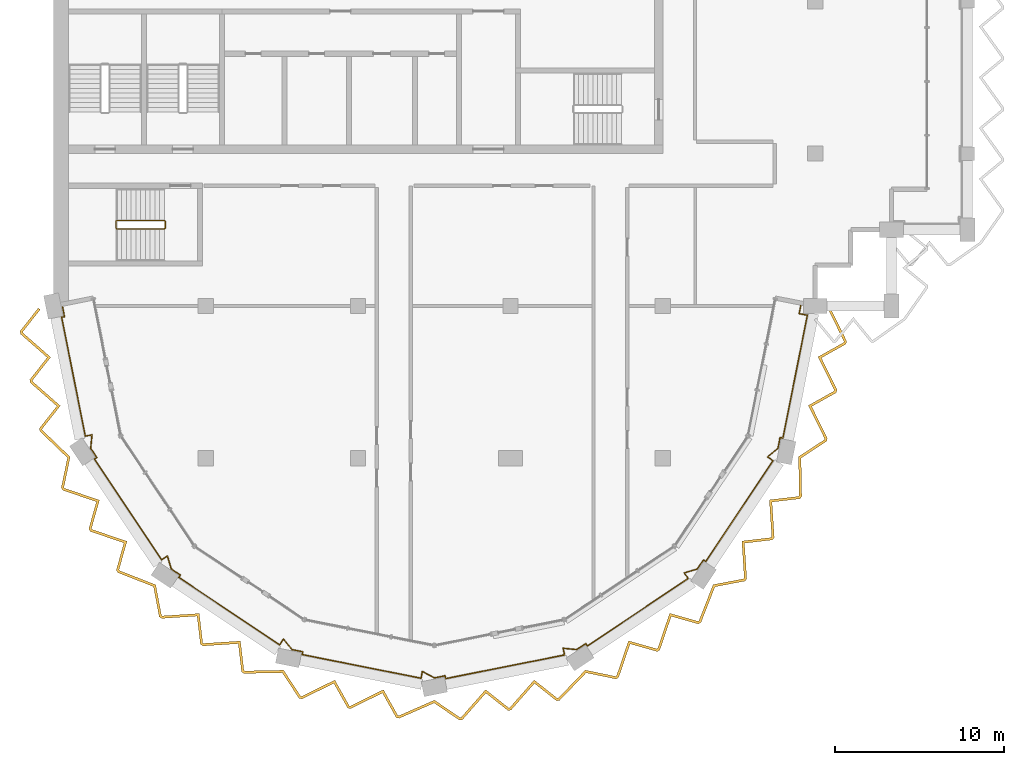
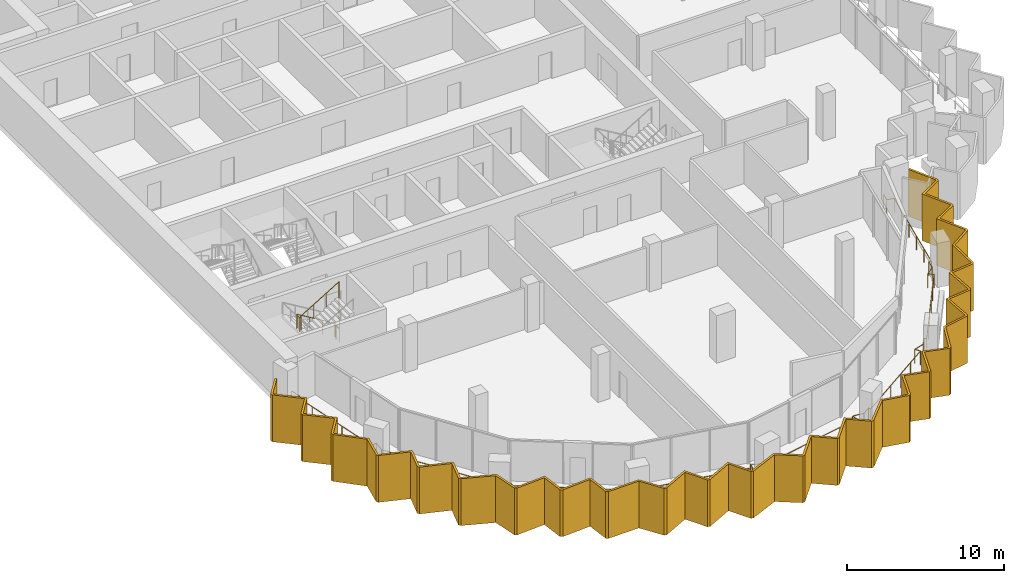
# One storey, part 11 of 13: 2 railings, 1 shading device.
"""IFC4 building model written with IfcOpenShell, lengths in metres."""

from ifc_helpers import new_model, si_unit, direction, frame, origin, origin_2d, place, context, subcontext, project, spatial, polyline, circle, outline, extrude, material, layer, layer_set, type_object, element, save


model = new_model("IFC4")

# Units and contexts
model_context = context("Model", 3, precision=1e-05, world=origin(), true_north=direction((0.0, 1.0)))
body_context = subcontext(model_context, "Body", "Model", "MODEL_VIEW")
ifc_project = project(units=[si_unit("LENGTHUNIT", "METRE"), si_unit("AREAUNIT", "SQUARE_METRE"), si_unit("VOLUMEUNIT", "CUBIC_METRE"), si_unit("PLANEANGLEUNIT", "RADIAN"), si_unit("MASSUNIT", "GRAM", prefix="KILO")], contexts=[model_context])

# Site, building, storey
site_placement = place(None, origin())
site = spatial("IfcSite", under=ifc_project, at=site_placement, CompositionType="ELEMENT")
building_placement = place(site_placement, origin())
building = spatial("IfcBuilding", under=site, at=building_placement, Name="Hunhe Ridgeline Campus", CompositionType="ELEMENT")
storey_placement = place(building_placement, frame((0.0, 0.0, 299.300048828125)))
storey = spatial("IfcBuildingStorey", under=building, at=storey_placement, Name="L77", CompositionType="ELEMENT", Elevation=299.300048828125)

# Railing
ifc_material_1 = material(Name="Steel Q355", Category="steel")
railing_type_1 = type_object("IfcRailingType", Name="Loggia guard 1100 Steel Q355", PredefinedType="GUARDRAIL", material=ifc_material_1)
railing_1_placement = place(storey_placement, frame((0.510009765625, 54.1015625, 0.0)))
element("IfcRailing", 1, at=railing_1_placement, inside=storey, type_object=railing_type_1, Name="Loggia guard 1", PredefinedType="GUARDRAIL", context=body_context, shape_type="SweptSolid", body=[
    extrude(circle(Radius=0.02392578125, at=origin_2d()), frame((0.0, 0.0, 1.076171875), z_axis=(0.194989189992, -0.980805391393, 0.0), x_axis=(0.980805391393, 0.194989189992, 0.0)), (0.0, 0.0, 1.0), 0.75),
    extrude(circle(Radius=0.02392578125, at=origin_2d()), frame((0.146240234375, -0.735595703125, 1.076171875), z_axis=(-0.980746010965, -0.195287639079, 0.0), x_axis=(0.195287639079, -0.980746010965, 0.0)), (0.0, 0.0, 1.0), 0.169921875),
    extrude(circle(Radius=0.02392578125, at=origin_2d()), frame((-0.0205078125, -0.768798828125, 1.076171875), z_axis=(0.195099694312, -0.980783416091, 0.0), x_axis=(0.980783416091, 0.195099694312, 0.0)), (0.0, 0.0, 1.0), 7.160400390625),
    extrude(circle(Radius=0.02392578125, at=origin_2d()), frame((1.37646484375, -7.79150390625, 1.076171875), z_axis=(0.980720044729, 0.195417997808, 0.0), x_axis=(-0.195417997808, 0.980720044729, 0.0)), (0.0, 0.0, 1.0), 0.403564453125),
    extrude(circle(Radius=0.02392578125, at=origin_2d()), frame((1.772216796875, -7.712646484375, 1.076171875), z_axis=(-0.09944331471, -0.995043228789, 0.0), x_axis=(0.995043228789, -0.09944331471, 0.0)), (0.0, 0.0, 1.0), 0.80029296875),
    extrude(circle(Radius=0.02392578125, at=origin_2d()), frame((1.692626953125, -8.509033203125, 1.076171875), z_axis=(0.555484244868, -0.831527061318, 0.0), x_axis=(0.831527061318, 0.555484244868, 0.0)), (0.0, 0.0, 1.0), 0.646484375),
    extrude(circle(Radius=0.02392578125, at=origin_2d()), frame((2.0517578125, -9.046630859375, 1.076171875), z_axis=(-0.831386976724, -0.555693885997, 0.0), x_axis=(0.555693885997, -0.831386976724, 0.0)), (0.0, 0.0, 1.0), 0.169921875),
    extrude(circle(Radius=0.02392578125, at=origin_2d()), frame((1.910400390625, -9.14111328125, 1.076171875), z_axis=(0.555581168767, -0.831462305166, 0.0), x_axis=(0.831462305166, 0.555581168767, 0.0)), (0.0, 0.0, 1.0), 7.16015625),
    extrude(circle(Radius=0.02392578125, at=origin_2d()), frame((5.888427734375, -15.094482421875, 1.076171875), z_axis=(0.831491262241, 0.555537830231, 0.0), x_axis=(-0.555537830231, 0.831491262241, 0.0)), (0.0, 0.0, 1.0), 0.4033203125),
    extrude(circle(Radius=0.02392578125, at=origin_2d()), frame((6.223876953125, -14.870361328125, 1.076171875), z_axis=(0.288914906809, -0.957354780958, 0.0), x_axis=(0.957354780958, 0.288914906809, 0.0)), (0.0, 0.0, 1.0), 0.80029296875),
    extrude(circle(Radius=0.02392578125, at=origin_2d()), frame((6.455078125, -15.636474609375, 1.076171875), z_axis=(0.831352632543, -0.555745265714, 0.0), x_axis=(0.555745265714, 0.831352632543, 0.0)), (0.0, 0.0, 1.0), 0.646728515625),
    extrude(circle(Radius=0.02392578125, at=origin_2d()), frame((6.99267578125, -15.995849609375, 1.076171875), z_axis=(-0.555693885997, -0.831386976724, 0.0), x_axis=(0.831386976724, -0.555693885997, 0.0)), (0.0, 0.0, 1.0), 0.169921875),
    extrude(circle(Radius=0.02392578125, at=origin_2d()), frame((6.898193359375, -16.13720703125, 1.076171875), z_axis=(0.831478056194, -0.555557595635, 0.0), x_axis=(0.555557595635, 0.831478056194, 0.0)), (0.0, 0.0, 1.0), 7.159912109375),
    extrude(circle(Radius=0.02392578125, at=origin_2d()), frame((12.8515625, -20.114990234375, 1.076171875), z_axis=(0.555956014138, 0.831211712107, 0.0), x_axis=(-0.831211712107, 0.555956014138, 0.0)), (0.0, 0.0, 1.0), 0.403564453125),
    extrude(circle(Radius=0.02392578125, at=origin_2d()), frame((13.075927734375, -19.779541015625, 1.076171875), z_axis=(0.633104861372, -0.774066040146, 0.0), x_axis=(0.774066040146, 0.633104861372, 0.0)), (0.0, 0.0, 1.0), 0.800048828125),
    extrude(circle(Radius=0.02392578125, at=origin_2d()), frame((13.58251953125, -20.39892578125, 1.076171875), z_axis=(0.980754587978, -0.195244559871, 0.0), x_axis=(0.195244559871, 0.980754587978, 0.0)), (0.0, 0.0, 1.0), 0.646484375),
    extrude(circle(Radius=0.02392578125, at=origin_2d()), frame((14.216552734375, -20.525146484375, 1.076171875), z_axis=(-0.193905883508, -0.981020136562, 0.0), x_axis=(0.981020136562, -0.193905883508, 0.0)), (0.0, 0.0, 1.0), 0.169921875),
    extrude(circle(Radius=0.02392578125, at=origin_2d()), frame((14.18359375, -20.69189453125, 1.076171875), z_axis=(0.980782118184, -0.195106218893, 0.0), x_axis=(0.195106218893, 0.980782118184, 0.0)), (0.0, 0.0, 1.0), 7.16015625),
    extrude(circle(Radius=0.02392578125, at=origin_2d()), frame((21.2060546875, -22.0888671875, 1.076171875), z_axis=(0.194720424654, 0.980858785057, 0.0), x_axis=(-0.980858785057, 0.194720424654, 0.0)), (0.0, 0.0, 1.0), 0.40380859375),
    extrude(circle(Radius=0.02392578125, at=origin_2d()), frame((21.28466796875, -21.69287109375, 1.076171875), z_axis=(0.881185062436, -0.472771494211, 0.0), x_axis=(0.472771494211, 0.881185062436, 0.0)), (0.0, 0.0, 1.0), 0.800537109375),
    extrude(circle(Radius=0.02392578125, at=origin_2d()), frame((21.989990234375, -22.0712890625, 1.076171875), z_axis=(0.980826840908, 0.194881266811, 0.0), x_axis=(-0.194881266811, 0.980826840908, 0.0)), (0.0, 0.0, 1.0), 0.646484375),
    extrude(circle(Radius=0.02392578125, at=origin_2d()), frame((22.6240234375, -21.9453125, 1.076171875), z_axis=(0.195287639079, -0.980746010965, 0.0), x_axis=(0.980746010965, 0.195287639079, 0.0)), (0.0, 0.0, 1.0), 0.169921875),
    extrude(circle(Radius=0.02392578125, at=origin_2d()), frame((22.6572265625, -22.112060546875, 1.076171875), z_axis=(0.980783416091, 0.195099694312, 0.0), x_axis=(-0.195099694312, 0.980783416091, 0.0)), (0.0, 0.0, 1.0), 7.160400390625),
    extrude(circle(Radius=0.02392578125, at=origin_2d()), frame((29.679931640625, -20.715087890625, 1.076171875), z_axis=(-0.195417997808, 0.980720044729, 0.0), x_axis=(-0.980720044729, -0.195417997808, 0.0)), (0.0, 0.0, 1.0), 0.403564453125),
    extrude(circle(Radius=0.02392578125, at=origin_2d()), frame((29.60107421875, -20.3193359375, 1.076171875), z_axis=(0.995043228789, -0.09944331471, 0.0), x_axis=(0.09944331471, 0.995043228789, 0.0)), (0.0, 0.0, 1.0), 0.80029296875),
    extrude(circle(Radius=0.02392578125, at=origin_2d()), frame((30.3974609375, -20.39892578125, 1.076171875), z_axis=(0.831527061318, 0.555484244868, 0.0), x_axis=(-0.555484244868, 0.831527061318, 0.0)), (0.0, 0.0, 1.0), 0.646484375),
    extrude(circle(Radius=0.02392578125, at=origin_2d()), frame((30.93505859375, -20.039794921875, 1.076171875), z_axis=(0.555693885997, -0.831386976724, 0.0), x_axis=(0.831386976724, 0.555693885997, 0.0)), (0.0, 0.0, 1.0), 0.169921875),
    extrude(circle(Radius=0.02392578125, at=origin_2d()), frame((31.029541015625, -20.18115234375, 1.076171875), z_axis=(0.831462305166, 0.555581168767, 0.0), x_axis=(-0.555581168767, 0.831462305166, 0.0)), (0.0, 0.0, 1.0), 7.16015625),
    extrude(circle(Radius=0.02392578125, at=origin_2d()), frame((36.98291015625, -16.203125, 1.076171875), z_axis=(-0.555537830231, 0.831491262241, 0.0), x_axis=(-0.831491262241, -0.555537830231, 0.0)), (0.0, 0.0, 1.0), 0.4033203125),
    extrude(circle(Radius=0.02392578125, at=origin_2d()), frame((36.7587890625, -15.86767578125, 1.076171875), z_axis=(0.957354780958, 0.288914906809, 0.0), x_axis=(-0.288914906809, 0.957354780958, 0.0)), (0.0, 0.0, 1.0), 0.80029296875),
    extrude(circle(Radius=0.02392578125, at=origin_2d()), frame((37.52490234375, -15.636474609375, 1.076171875), z_axis=(0.555745265714, 0.831352632543, 0.0), x_axis=(-0.831352632543, 0.555745265714, 0.0)), (0.0, 0.0, 1.0), 0.646728515625),
    extrude(circle(Radius=0.02392578125, at=origin_2d()), frame((37.88427734375, -15.098876953125, 1.076171875), z_axis=(0.831386976724, -0.555693885997, 0.0), x_axis=(0.555693885997, 0.831386976724, 0.0)), (0.0, 0.0, 1.0), 0.169921875),
    extrude(circle(Radius=0.02392578125, at=origin_2d()), frame((38.025634765625, -15.193359375, 1.076171875), z_axis=(0.555557595635, 0.831478056194, 0.0), x_axis=(-0.831478056194, 0.555557595635, 0.0)), (0.0, 0.0, 1.0), 7.159912109375),
    extrude(circle(Radius=0.02392578125, at=origin_2d()), frame((42.00341796875, -9.239990234375, 1.076171875), z_axis=(-0.831211712107, 0.555956014138, 0.0), x_axis=(-0.555956014138, -0.831211712107, 0.0)), (0.0, 0.0, 1.0), 0.403564453125),
    extrude(circle(Radius=0.02392578125, at=origin_2d()), frame((41.66796875, -9.015625, 1.076171875), z_axis=(0.774066040146, 0.633104861372, 0.0), x_axis=(-0.633104861372, 0.774066040146, 0.0)), (0.0, 0.0, 1.0), 0.800048828125),
    extrude(circle(Radius=0.02392578125, at=origin_2d()), frame((42.287353515625, -8.509033203125, 1.076171875), z_axis=(0.195244559871, 0.980754587978, 0.0), x_axis=(-0.980754587978, 0.195244559871, 0.0)), (0.0, 0.0, 1.0), 0.646484375),
    extrude(circle(Radius=0.02392578125, at=origin_2d()), frame((42.41357421875, -7.875, 1.076171875), z_axis=(0.981020136562, -0.193905883508, 0.0), x_axis=(0.193905883508, 0.981020136562, 0.0)), (0.0, 0.0, 1.0), 0.169921875),
    extrude(circle(Radius=0.02392578125, at=origin_2d()), frame((42.580322265625, -7.907958984375, 1.076171875), z_axis=(0.195088338544, 0.980785674938, 0.0), x_axis=(-0.980785674938, 0.195088338544, 0.0)), (0.0, 0.0, 1.0), 7.40087890625),
    extrude(circle(Radius=0.02392578125, at=origin_2d()), frame((44.024169921875, -0.649169921875, 1.076171875), z_axis=(-0.980789056368, 0.195071337999, 0.0), x_axis=(-0.195071337999, -0.980789056368, 0.0)), (0.0, 0.0, 1.0), 0.494384765625),
    extrude(circle(Radius=0.02392578125, at=origin_2d()), frame((43.539306640625, -0.552734375, 1.076171875), z_axis=(0.195144205131, 0.980774560847, 0.0), x_axis=(-0.980774560847, 0.195144205131, 0.0)), (0.0, 0.0, 1.0), 0.6279296875),
    extrude(circle(Radius=0.02099609375, at=origin_2d()), origin(), (0.0, 0.0, 1.0), 1.052001953125),
    extrude(circle(Radius=0.02099609375, at=origin_2d()), frame((0.146240234375, -0.735595703125, 0.0)), (0.0, 0.0, 1.0), 1.052001953125),
    extrude(circle(Radius=0.02099609375, at=origin_2d()), frame((-0.0205078125, -0.768798828125, 0.0)), (0.0, 0.0, 1.0), 1.052001953125),
    extrude(circle(Radius=0.02099609375, at=origin_2d()), frame((0.2587890625, -2.17333984375, 0.0)), (0.0, 0.0, 1.0), 1.052001953125),
    extrude(circle(Radius=0.02099609375, at=origin_2d()), frame((0.538330078125, -3.577880859375, 0.0)), (0.0, 0.0, 1.0), 1.052001953125),
    extrude(circle(Radius=0.02099609375, at=origin_2d()), frame((0.817626953125, -4.982421875, 0.0)), (0.0, 0.0, 1.0), 1.052001953125),
    extrude(circle(Radius=0.02099609375, at=origin_2d()), frame((1.09716796875, -6.386962890625, 0.0)), (0.0, 0.0, 1.0), 1.052001953125),
    extrude(circle(Radius=0.02099609375, at=origin_2d()), frame((1.37646484375, -7.79150390625, 0.0)), (0.0, 0.0, 1.0), 1.052001953125),
    extrude(circle(Radius=0.02099609375, at=origin_2d()), frame((1.772216796875, -7.712646484375, 0.0)), (0.0, 0.0, 1.0), 1.052001953125),
    extrude(circle(Radius=0.02099609375, at=origin_2d()), frame((1.692626953125, -8.509033203125, 0.0)), (0.0, 0.0, 1.0), 1.052001953125),
    extrude(circle(Radius=0.02099609375, at=origin_2d()), frame((2.0517578125, -9.046630859375, 0.0)), (0.0, 0.0, 1.0), 1.052001953125),
    extrude(circle(Radius=0.02099609375, at=origin_2d()), frame((1.910400390625, -9.14111328125, 0.0)), (0.0, 0.0, 1.0), 1.052001953125),
    extrude(circle(Radius=0.02099609375, at=origin_2d()), frame((2.7060546875, -10.331787109375, 0.0)), (0.0, 0.0, 1.0), 1.052001953125),
    extrude(circle(Radius=0.02099609375, at=origin_2d()), frame((3.501708984375, -11.5224609375, 0.0)), (0.0, 0.0, 1.0), 1.052001953125),
    extrude(circle(Radius=0.02099609375, at=origin_2d()), frame((4.297119140625, -12.713134765625, 0.0)), (0.0, 0.0, 1.0), 1.052001953125),
    extrude(circle(Radius=0.02099609375, at=origin_2d()), frame((5.0927734375, -13.90380859375, 0.0)), (0.0, 0.0, 1.0), 1.052001953125),
    extrude(circle(Radius=0.02099609375, at=origin_2d()), frame((5.888427734375, -15.094482421875, 0.0)), (0.0, 0.0, 1.0), 1.052001953125),
    extrude(circle(Radius=0.02099609375, at=origin_2d()), frame((6.223876953125, -14.870361328125, 0.0)), (0.0, 0.0, 1.0), 1.052001953125),
    extrude(circle(Radius=0.02099609375, at=origin_2d()), frame((6.455078125, -15.636474609375, 0.0)), (0.0, 0.0, 1.0), 1.052001953125),
    extrude(circle(Radius=0.02099609375, at=origin_2d()), frame((6.99267578125, -15.995849609375, 0.0)), (0.0, 0.0, 1.0), 1.052001953125),
    extrude(circle(Radius=0.02099609375, at=origin_2d()), frame((6.898193359375, -16.13720703125, 0.0)), (0.0, 0.0, 1.0), 1.052001953125),
    extrude(circle(Radius=0.02099609375, at=origin_2d()), frame((8.0888671875, -16.932861328125, 0.0)), (0.0, 0.0, 1.0), 1.052001953125),
    extrude(circle(Radius=0.02099609375, at=origin_2d()), frame((9.279541015625, -17.728271484375, 0.0)), (0.0, 0.0, 1.0), 1.052001953125),
    extrude(circle(Radius=0.02099609375, at=origin_2d()), frame((10.47021484375, -18.52392578125, 0.0)), (0.0, 0.0, 1.0), 1.052001953125),
    extrude(circle(Radius=0.02099609375, at=origin_2d()), frame((11.660888671875, -19.3193359375, 0.0)), (0.0, 0.0, 1.0), 1.052001953125),
    extrude(circle(Radius=0.02099609375, at=origin_2d()), frame((12.8515625, -20.114990234375, 0.0)), (0.0, 0.0, 1.0), 1.052001953125),
    extrude(circle(Radius=0.02099609375, at=origin_2d()), frame((13.075927734375, -19.779541015625, 0.0)), (0.0, 0.0, 1.0), 1.052001953125),
    extrude(circle(Radius=0.02099609375, at=origin_2d()), frame((13.58251953125, -20.39892578125, 0.0)), (0.0, 0.0, 1.0), 1.052001953125),
    extrude(circle(Radius=0.02099609375, at=origin_2d()), frame((14.216552734375, -20.525146484375, 0.0)), (0.0, 0.0, 1.0), 1.052001953125),
    extrude(circle(Radius=0.02099609375, at=origin_2d()), frame((14.18359375, -20.69189453125, 0.0)), (0.0, 0.0, 1.0), 1.052001953125),
    extrude(circle(Radius=0.02099609375, at=origin_2d()), frame((15.588134765625, -20.97119140625, 0.0)), (0.0, 0.0, 1.0), 1.052001953125),
    extrude(circle(Radius=0.02099609375, at=origin_2d()), frame((16.99267578125, -21.250732421875, 0.0)), (0.0, 0.0, 1.0), 1.052001953125),
    extrude(circle(Radius=0.02099609375, at=origin_2d()), frame((18.39697265625, -21.530029296875, 0.0)), (0.0, 0.0, 1.0), 1.052001953125),
    extrude(circle(Radius=0.02099609375, at=origin_2d()), frame((19.801513671875, -21.8095703125, 0.0)), (0.0, 0.0, 1.0), 1.052001953125),
    extrude(circle(Radius=0.02099609375, at=origin_2d()), frame((21.2060546875, -22.0888671875, 0.0)), (0.0, 0.0, 1.0), 1.052001953125),
    extrude(circle(Radius=0.02099609375, at=origin_2d()), frame((21.28466796875, -21.69287109375, 0.0)), (0.0, 0.0, 1.0), 1.052001953125),
    extrude(circle(Radius=0.02099609375, at=origin_2d()), frame((21.989990234375, -22.0712890625, 0.0)), (0.0, 0.0, 1.0), 1.052001953125),
    extrude(circle(Radius=0.02099609375, at=origin_2d()), frame((22.6240234375, -21.9453125, 0.0)), (0.0, 0.0, 1.0), 1.052001953125),
    extrude(circle(Radius=0.02099609375, at=origin_2d()), frame((22.6572265625, -22.112060546875, 0.0)), (0.0, 0.0, 1.0), 1.052001953125),
    extrude(circle(Radius=0.02099609375, at=origin_2d()), frame((24.061767578125, -21.832763671875, 0.0)), (0.0, 0.0, 1.0), 1.052001953125),
    extrude(circle(Radius=0.02099609375, at=origin_2d()), frame((25.46630859375, -21.55322265625, 0.0)), (0.0, 0.0, 1.0), 1.052001953125),
    extrude(circle(Radius=0.02099609375, at=origin_2d()), frame((26.870849609375, -21.27392578125, 0.0)), (0.0, 0.0, 1.0), 1.052001953125),
    extrude(circle(Radius=0.02099609375, at=origin_2d()), frame((28.275390625, -20.994384765625, 0.0)), (0.0, 0.0, 1.0), 1.052001953125),
    extrude(circle(Radius=0.02099609375, at=origin_2d()), frame((29.679931640625, -20.715087890625, 0.0)), (0.0, 0.0, 1.0), 1.052001953125),
    extrude(circle(Radius=0.02099609375, at=origin_2d()), frame((29.60107421875, -20.3193359375, 0.0)), (0.0, 0.0, 1.0), 1.052001953125),
    extrude(circle(Radius=0.02099609375, at=origin_2d()), frame((30.3974609375, -20.39892578125, 0.0)), (0.0, 0.0, 1.0), 1.052001953125),
    extrude(circle(Radius=0.02099609375, at=origin_2d()), frame((30.93505859375, -20.039794921875, 0.0)), (0.0, 0.0, 1.0), 1.052001953125),
    extrude(circle(Radius=0.02099609375, at=origin_2d()), frame((31.029541015625, -20.18115234375, 0.0)), (0.0, 0.0, 1.0), 1.052001953125),
    extrude(circle(Radius=0.02099609375, at=origin_2d()), frame((32.22021484375, -19.385498046875, 0.0)), (0.0, 0.0, 1.0), 1.052001953125),
    extrude(circle(Radius=0.02099609375, at=origin_2d()), frame((33.410888671875, -18.58984375, 0.0)), (0.0, 0.0, 1.0), 1.052001953125),
    extrude(circle(Radius=0.02099609375, at=origin_2d()), frame((34.6015625, -17.79443359375, 0.0)), (0.0, 0.0, 1.0), 1.052001953125),
    extrude(circle(Radius=0.02099609375, at=origin_2d()), frame((35.792236328125, -16.998779296875, 0.0)), (0.0, 0.0, 1.0), 1.052001953125),
    extrude(circle(Radius=0.02099609375, at=origin_2d()), frame((36.98291015625, -16.203125, 0.0)), (0.0, 0.0, 1.0), 1.052001953125),
    extrude(circle(Radius=0.02099609375, at=origin_2d()), frame((36.7587890625, -15.86767578125, 0.0)), (0.0, 0.0, 1.0), 1.052001953125),
    extrude(circle(Radius=0.02099609375, at=origin_2d()), frame((37.52490234375, -15.636474609375, 0.0)), (0.0, 0.0, 1.0), 1.052001953125),
    extrude(circle(Radius=0.02099609375, at=origin_2d()), frame((37.88427734375, -15.098876953125, 0.0)), (0.0, 0.0, 1.0), 1.052001953125),
    extrude(circle(Radius=0.02099609375, at=origin_2d()), frame((38.025634765625, -15.193359375, 0.0)), (0.0, 0.0, 1.0), 1.052001953125),
    extrude(circle(Radius=0.02099609375, at=origin_2d()), frame((38.8212890625, -14.002685546875, 0.0)), (0.0, 0.0, 1.0), 1.052001953125),
    extrude(circle(Radius=0.02099609375, at=origin_2d()), frame((39.61669921875, -12.81201171875, 0.0)), (0.0, 0.0, 1.0), 1.052001953125),
    extrude(circle(Radius=0.02099609375, at=origin_2d()), frame((40.412353515625, -11.621337890625, 0.0)), (0.0, 0.0, 1.0), 1.052001953125),
    extrude(circle(Radius=0.02099609375, at=origin_2d()), frame((41.207763671875, -10.4306640625, 0.0)), (0.0, 0.0, 1.0), 1.052001953125),
    extrude(circle(Radius=0.02099609375, at=origin_2d()), frame((42.00341796875, -9.239990234375, 0.0)), (0.0, 0.0, 1.0), 1.052001953125),
    extrude(circle(Radius=0.02099609375, at=origin_2d()), frame((41.66796875, -9.015625, 0.0)), (0.0, 0.0, 1.0), 1.052001953125),
    extrude(circle(Radius=0.02099609375, at=origin_2d()), frame((42.287353515625, -8.509033203125, 0.0)), (0.0, 0.0, 1.0), 1.052001953125),
    extrude(circle(Radius=0.02099609375, at=origin_2d()), frame((42.41357421875, -7.875, 0.0)), (0.0, 0.0, 1.0), 1.052001953125),
    extrude(circle(Radius=0.02099609375, at=origin_2d()), frame((42.580322265625, -7.907958984375, 0.0)), (0.0, 0.0, 1.0), 1.052001953125),
    extrude(circle(Radius=0.02099609375, at=origin_2d()), frame((42.869140625, -6.456298828125, 0.0)), (0.0, 0.0, 1.0), 1.052001953125),
    extrude(circle(Radius=0.02099609375, at=origin_2d()), frame((43.157958984375, -5.00439453125, 0.0)), (0.0, 0.0, 1.0), 1.052001953125),
    extrude(circle(Radius=0.02099609375, at=origin_2d()), frame((43.446533203125, -3.552734375, 0.0)), (0.0, 0.0, 1.0), 1.052001953125),
    extrude(circle(Radius=0.02099609375, at=origin_2d()), frame((43.7353515625, -2.100830078125, 0.0)), (0.0, 0.0, 1.0), 1.052001953125),
    extrude(circle(Radius=0.02099609375, at=origin_2d()), frame((44.024169921875, -0.649169921875, 0.0)), (0.0, 0.0, 1.0), 1.052001953125),
    extrude(circle(Radius=0.02099609375, at=origin_2d()), frame((43.539306640625, -0.552734375, 0.0)), (0.0, 0.0, 1.0), 1.052001953125),
    extrude(circle(Radius=0.02099609375, at=origin_2d()), frame((43.661865234375, 0.063232421875, 0.0)), (0.0, 0.0, 1.0), 1.052001953125),
])

# Shading device
ifc_material_2 = material(Name="Concrete C50", Category="concrete")
ifc_layer = layer(ifc_material_2, 0.14990234375)
ifc_layer_set = layer_set([ifc_layer], Name="Sawtooth concrete fin 150 Concrete C50")
shading_device_type = type_object("IfcShadingDeviceType", Name="Sawtooth concrete fin 150 Concrete C50", PredefinedType="USERDEFINED", material=ifc_layer_set)
shading_device_placement = place(storey_placement, frame((0.0, 0.0, -0.949951171875)))
element("IfcShadingDevice", 2, at=shading_device_placement, inside=storey, type_object=shading_device_type, Name="Concrete fin screen 1", ObjectType="FIN", PredefinedType="USERDEFINED", context=body_context, shape_type="SweptSolid", body=[
    extrude(outline(polyline([(-0.774169921875, 53.787841796875), (-0.891845703125, 53.880859375), (-1.971923828125, 52.511962890625), (-1.936767578125, 52.33544921875), (-0.364990234375, 50.954833984375), (-1.401123046875, 49.641845703125), (-1.365966796875, 49.46533203125), (0.205810546875, 48.084716796875), (-0.830078125, 46.771728515625), (-0.79541015625, 46.596923828125), (0.830810546875, 45.032958984375), (0.462158203125, 43.257568359375), (0.560302734375, 43.110595703125), (2.540771484375, 42.4365234375), (2.086181640625, 40.8271484375), (2.18603515625, 40.677490234375), (4.16650390625, 40.00341796875), (3.7119140625, 38.393798828125), (3.810791015625, 38.245849609375), (5.911865234375, 37.423095703125), (6.25048828125, 35.641845703125), (6.397705078125, 35.54345703125), (8.4853515625, 35.6787109375), (8.68115234375, 34.017822265625), (8.830810546875, 33.917724609375), (10.91845703125, 34.052978515625), (11.1142578125, 32.391845703125), (11.262451171875, 32.29296875), (13.518310546875, 32.3369140625), (14.512939453125, 30.82080078125), (14.686279296875, 30.786376953125), (16.563232421875, 31.7099609375), (17.3798828125, 30.25048828125), (17.556396484375, 30.21533203125), (19.433349609375, 31.13916015625), (20.25, 29.6796875), (20.4248046875, 29.644775390625), (22.4921875, 30.548583984375), (23.9912109375, 29.528564453125), (24.16455078125, 29.563232421875), (25.545166015625, 31.135009765625), (26.858154296875, 30.098876953125), (27.03466796875, 30.134033203125), (28.415283203125, 31.705810546875), (29.728271484375, 30.669921875), (29.903076171875, 30.70458984375), (31.467041015625, 32.330810546875), (33.242431640625, 31.962158203125), (33.389404296875, 32.060302734375), (34.0634765625, 34.040771484375), (35.6728515625, 33.586181640625), (35.822509765625, 33.68603515625), (36.49658203125, 35.66650390625), (38.106201171875, 35.2119140625), (38.254150390625, 35.310791015625), (39.076904296875, 37.411865234375), (40.858154296875, 37.75048828125), (40.95654296875, 37.897705078125), (40.8212890625, 39.9853515625), (42.482177734375, 40.18115234375), (42.582275390625, 40.330810546875), (42.447021484375, 42.41845703125), (44.108154296875, 42.6142578125), (44.20703125, 42.762451171875), (44.1630859375, 45.018310546875), (45.67919921875, 46.012939453125), (45.713623046875, 46.186279296875), (44.7900390625, 48.063232421875), (46.24951171875, 48.8798828125), (46.28466796875, 49.056396484375), (45.36083984375, 50.933349609375), (46.8203125, 51.75), (46.85546875, 51.926513671875), (45.900390625, 53.867431640625), (45.765625, 53.80126953125), (46.698486328125, 51.906005859375), (46.686767578125, 51.84716796875), (45.163330078125, 50.994873046875), (46.12744140625, 49.035888671875), (46.11572265625, 48.97705078125), (44.592529296875, 48.124755859375), (45.556640625, 46.165771484375), (45.54443359375, 46.103759765625), (44.011474609375, 45.09814453125), (44.05615234375, 42.806640625), (44.021728515625, 42.755126953125), (42.288330078125, 42.55078125), (42.42919921875, 40.371826171875), (42.39599609375, 40.322021484375), (40.662353515625, 40.11767578125), (40.803466796875, 37.938720703125), (40.768310546875, 37.88623046875), (38.967529296875, 37.543701171875), (38.1318359375, 35.409423828125), (38.080322265625, 35.375), (36.400634765625, 35.849609375), (35.697021484375, 33.78271484375), (35.647216796875, 33.749267578125), (33.96728515625, 34.223876953125), (33.263916015625, 32.15673828125), (33.21142578125, 32.121826171875), (31.41650390625, 32.49462890625), (29.82763671875, 30.842529296875), (29.766845703125, 30.83056640625), (28.396484375, 31.91162109375), (26.95556640625, 30.271240234375), (26.896728515625, 30.259521484375), (25.5263671875, 31.3408203125), (24.08544921875, 29.700439453125), (24.0234375, 29.68798828125), (22.5078125, 30.71923828125), (20.40771484375, 29.80126953125), (20.34716796875, 29.813232421875), (19.494873046875, 31.336669921875), (17.535888671875, 30.37255859375), (17.47705078125, 30.38427734375), (16.624755859375, 31.907470703125), (14.665771484375, 30.943359375), (14.603759765625, 30.95556640625), (13.59814453125, 32.488525390625), (11.306640625, 32.44384765625), (11.255126953125, 32.478271484375), (11.05078125, 34.211669921875), (8.871826171875, 34.07080078125), (8.822021484375, 34.10400390625), (8.61767578125, 35.837646484375), (6.438720703125, 35.696533203125), (6.38623046875, 35.731689453125), (6.043701171875, 37.532470703125), (3.909423828125, 38.3681640625), (3.875, 38.419677734375), (4.349609375, 40.099365234375), (2.28271484375, 40.802978515625), (2.249267578125, 40.852783203125), (2.723876953125, 42.53271484375), (0.65673828125, 43.236083984375), (0.621826171875, 43.28857421875), (0.99462890625, 45.08349609375), (-0.657470703125, 46.67236328125), (-0.66943359375, 46.733154296875), (0.41162109375, 48.103515625), (-1.228759765625, 49.54443359375), (-1.240478515625, 49.603271484375), (-0.1591796875, 50.9736328125), (-1.799560546875, 52.41455078125), (-1.811279296875, 52.473388671875), (-0.774169921875, 53.787841796875)])), origin(), (0.0, 0.0, 1.0), 3.64990234375),
])

# Railing
ifc_material_3 = material(Name="Stainless steel balustrade", Category="steel")
railing_type_2 = type_object("IfcRailingType", Name="Stair guard 1100 stainless", PredefinedType="GUARDRAIL", material=ifc_material_3)
railing_2_placement = place(storey_placement, frame((6.550048828125, 59.050048828125, 0.168212890625)))
element("IfcRailing", 3, at=railing_2_placement, inside=storey, type_object=railing_type_2, Name="L77 stair W2 guard", PredefinedType="GUARDRAIL", context=body_context, shape_type="SweptSolid", body=[
    extrude(circle(Radius=0.02392578125, at=origin_2d()), frame((0.0, 0.0, 1.076171875), z_axis=(-0.857275202839, 0.0, 0.514858452973), x_axis=(0.0, -1.0, 0.0)), (0.0, 0.0, 1.0), 3.26611328125),
    extrude(circle(Radius=0.02392578125, at=origin_2d()), frame((-2.800048828125, 0.0, 2.7578125), z_axis=(-0.707106781187, -0.707106781187, 0.0), x_axis=(0.707106781187, -0.707106781187, 0.0)), (0.0, 0.0, 1.0), 0.07080078125),
    extrude(circle(Radius=0.02392578125, at=origin_2d()), frame((-2.85009765625, -0.050048828125, 2.7578125), z_axis=(0.0, -1.0, 0.0), x_axis=(1.0, 0.0, 0.0)), (0.0, 0.0, 1.0), 0.39990234375),
    extrude(circle(Radius=0.02392578125, at=origin_2d()), frame((-2.85009765625, -0.449951171875, 2.7578125), z_axis=(0.274243871929, -0.274243871929, 0.92172696468), x_axis=(0.707106781187, 0.707106781187, 0.0)), (0.0, 0.0, 1.0), 0.1826171875),
    extrude(circle(Radius=0.02392578125, at=origin_2d()), frame((-2.800048828125, -0.5, 2.92578125), z_axis=(0.857242210791, 0.0, 0.514913383045), x_axis=(0.0, 1.0, 0.0)), (0.0, 0.0, 1.0), 3.266357421875),
    extrude(circle(Radius=0.02392578125, at=origin_2d()), frame((0.0, -0.5, 4.60791015625), z_axis=(0.013524414389, 0.013524414389, -0.999817073484), x_axis=(-0.707106781187, 0.707106781187, 0.0)), (0.0, 0.0, 1.0), 3.70068359375),
    extrude(circle(Radius=0.02392578125, at=origin_2d()), frame((0.050048828125, -0.449951171875, 0.90771484375), z_axis=(0.0, 1.0, 0.0), x_axis=(-1.0, 0.0, 0.0)), (0.0, 0.0, 1.0), 0.39990234375),
    extrude(circle(Radius=0.02099609375, at=origin_2d()), origin(), (0.0, 0.0, 1.0), 1.052001953125),
    extrude(circle(Radius=0.02099609375, at=origin_2d()), frame((-0.933349609375, 0.0, 0.560546875)), (0.0, 0.0, 1.0), 1.052001953125),
    extrude(circle(Radius=0.02099609375, at=origin_2d()), frame((-1.86669921875, 0.0, 1.12109375)), (0.0, 0.0, 1.0), 1.052001953125),
    extrude(circle(Radius=0.02099609375, at=origin_2d()), frame((-2.800048828125, 0.0, 1.681640625)), (0.0, 0.0, 1.0), 1.052001953125),
    extrude(circle(Radius=0.02099609375, at=origin_2d()), frame((-2.85009765625, -0.050048828125, 1.681640625)), (0.0, 0.0, 1.0), 1.052001953125),
    extrude(circle(Radius=0.02099609375, at=origin_2d()), frame((-2.85009765625, -0.449951171875, 1.681640625)), (0.0, 0.0, 1.0), 1.052001953125),
    extrude(circle(Radius=0.02099609375, at=origin_2d()), frame((-2.800048828125, -0.5, 1.849853515625)), (0.0, 0.0, 1.0), 1.052001953125),
    extrude(circle(Radius=0.02099609375, at=origin_2d()), frame((-1.86669921875, -0.5, 2.410400390625)), (0.0, 0.0, 1.0), 1.052001953125),
    extrude(circle(Radius=0.02099609375, at=origin_2d()), frame((-0.933349609375, -0.5, 2.97119140625)), (0.0, 0.0, 1.0), 1.052001953125),
    extrude(circle(Radius=0.02099609375, at=origin_2d()), frame((0.0, -0.5, 3.53173828125)), (0.0, 0.0, 1.0), 1.052001953125),
    extrude(circle(Radius=0.02099609375, at=origin_2d()), frame((0.012451171875, -0.487548828125, 2.606689453125)), (0.0, 0.0, 1.0), 1.052001953125),
    extrude(circle(Radius=0.02099609375, at=origin_2d()), frame((0.02490234375, -0.47509765625, 1.681640625)), (0.0, 0.0, 1.0), 1.052001953125),
    extrude(circle(Radius=0.02099609375, at=origin_2d()), frame((0.03759765625, -0.46240234375, 0.7568359375)), (0.0, 0.0, 1.0), 1.052001953125),
    extrude(circle(Radius=0.02099609375, at=origin_2d()), frame((0.050048828125, -0.449951171875, -0.168212890625)), (0.0, 0.0, 1.0), 1.052001953125),
    extrude(circle(Radius=0.02099609375, at=origin_2d()), frame((0.050048828125, -0.050048828125, -0.168212890625)), (0.0, 0.0, 1.0), 1.052001953125),
])

save(model, "model.ifc")
